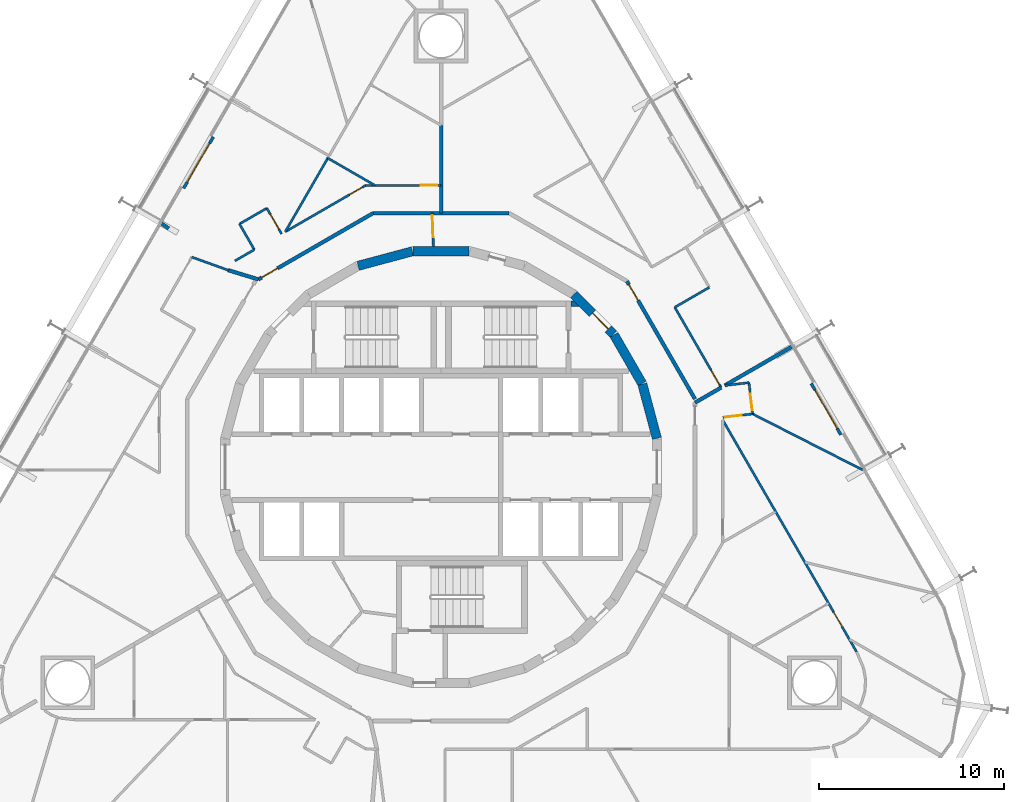
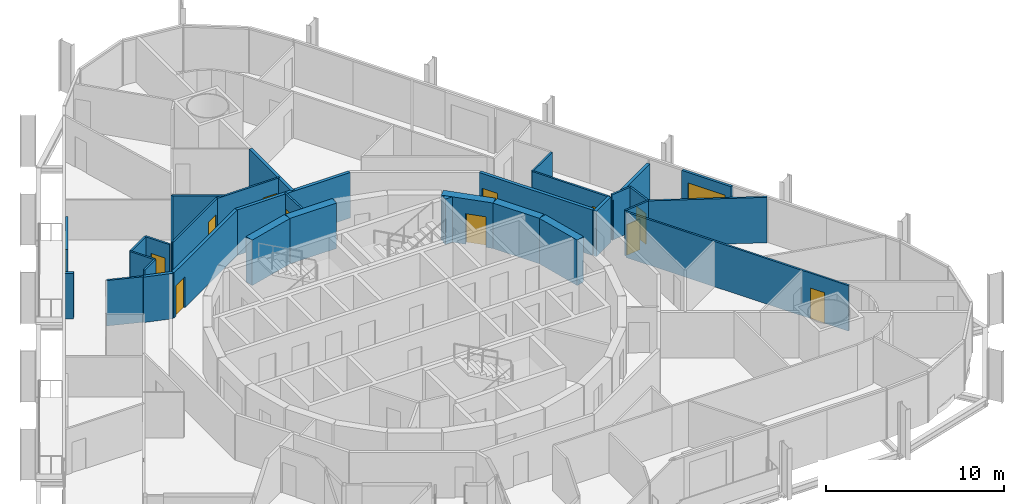
# One storey, part 17 of 20: 33 walls, 13 doors, 13 openings.
"""IFC4 building model written with IfcOpenShell, lengths in metres."""

import ifcopenshell
import ifcopenshell.guid

model = None  # the IFC model being written
_history = None  # IfcOwnerHistory: only IFC2X3 demands one
_inside = {}  # id of a spatial element -> (the spatial element, [elements in it])
_under = {}  # id of a project, library or spatial element -> (it, [spatial elements below it])
_declared = {}  # id of a project -> (the project, [libraries it declares])
_typed = {}  # id of a type object -> (the type object, [elements of that type])
_made_of = {}  # id of a material, layer set ... -> (it, [elements and type objects made of it])


def new_model(schema):
    """Start an empty IFC model of exactly this schema.

    Asked for "IFC4X3", IfcOpenShell would pick the latest addendum, in which some entities
    have other attributes; the version numbers below select the first issue.
    IFC2X3 requires an IfcOwnerHistory on every rooted entity: one is made here for all.
    """
    global model, _history
    if schema == "IFC4X3":
        model = ifcopenshell.file(schema_version=(4, 3, 0, 0))
    else:
        model = ifcopenshell.file(schema=schema)
    _inside.clear()
    _under.clear()
    _declared.clear()
    _typed.clear()
    _made_of.clear()
    _history = None
    if model.schema == "IFC2X3":
        org = make("IfcOrganization", Name="unknown")
        user = make(
            "IfcPersonAndOrganization",
            ThePerson=make("IfcPerson", FamilyName="unknown"),
            TheOrganization=org,
        )
        app = make(
            "IfcApplication",
            ApplicationDeveloper=org,
            Version="unknown",
            ApplicationFullName="unknown",
            ApplicationIdentifier="unknown",
        )
        _history = make(
            "IfcOwnerHistory",
            OwningUser=user,
            OwningApplication=app,
            ChangeAction="ADDED",
            CreationDate=0,
        )
    return model


def make(cls, **values):
    """One entity of the class cls with the attributes given. An attribute that is None is left unset."""
    return model.create_entity(
        cls, **{name: value for name, value in values.items() if value is not None}
    )


def rooted(cls, **values):
    """An entity with a GlobalId (a new one), such as an element, a storey or a relation."""
    return make(cls, GlobalId=ifcopenshell.guid.new(), OwnerHistory=_history, **values)


def si_unit(unit_type, name, prefix=None):
    """IfcSIUnit, for example si_unit("LENGTHUNIT", "METRE", prefix="MILLI")."""
    return make("IfcSIUnit", UnitType=unit_type, Prefix=prefix, Name=name)


def assignment(units):
    """IfcUnitAssignment: the units of a project."""
    return None if units is None else make("IfcUnitAssignment", Units=units)


def point(xyz):
    """IfcCartesianPoint."""
    return None if xyz is None else make("IfcCartesianPoint", Coordinates=xyz)


def direction(xyz):
    """IfcDirection."""
    return None if xyz is None else make("IfcDirection", DirectionRatios=xyz)


def frame(location, z_axis=None, x_axis=None):
    """IfcAxis2Placement3D, a coordinate frame: its origin and axes. An axis left out is left unset."""
    return make(
        "IfcAxis2Placement3D",
        Location=point(location),
        Axis=direction(z_axis),
        RefDirection=direction(x_axis),
    )


def frame_2d(location, x_axis=None):
    """IfcAxis2Placement2D, a coordinate frame in the plane: its origin and x axis."""
    return make(
        "IfcAxis2Placement2D", Location=point(location), RefDirection=direction(x_axis)
    )


def origin():
    """The frame at (0, 0, 0) with its axes left unset."""
    return frame((0.0, 0.0, 0.0))


def place(relative_to, where):
    """IfcLocalPlacement: puts the frame where relative to a parent placement (None: the world)."""
    return make(
        "IfcLocalPlacement", PlacementRelTo=relative_to, RelativePlacement=where
    )


def context(
    kind, dimensions, precision=None, world=None, true_north=None, identifier=None
):
    """IfcGeometricRepresentationContext, for example the 3D "Model" context."""
    return make(
        "IfcGeometricRepresentationContext",
        ContextIdentifier=identifier,
        ContextType=kind,
        CoordinateSpaceDimension=dimensions,
        Precision=precision,
        WorldCoordinateSystem=world,
        TrueNorth=true_north,
    )


def subcontext(parent, identifier, kind, view, scale=None):
    """IfcGeometricRepresentationSubContext, for example "Body" below "Model"."""
    return make(
        "IfcGeometricRepresentationSubContext",
        ContextIdentifier=identifier,
        ContextType=kind,
        ParentContext=parent,
        TargetScale=scale,
        TargetView=view,
    )


def project(units=None, contexts=None):
    """IfcProject with its units and contexts."""
    return rooted(
        "IfcProject",
        Name="project",
        RepresentationContexts=contexts,
        UnitsInContext=assignment(units),
    )


def spatial(cls, under=None, at=None, **own):
    """A site, building, storey or space (cls), placed at a placement, below another one or the project."""
    s = rooted(cls, ObjectPlacement=at, **own)
    if under is not None:
        _under.setdefault(under.id(), (under, []))[1].append(s)
    return s


def polyline(points):
    """IfcPolyline through the points."""
    return make("IfcPolyline", Points=[point(p) for p in points])


def profile(cls, at=None, kind="AREA", **sizes):
    """A parametric profile (cls). Its sizes go by their IFC names, for example OverallWidth=200.0."""
    return make(cls, ProfileType=kind, Position=at, **sizes)


def rectangle(**sizes):
    """IfcRectangleProfileDef."""
    return profile("IfcRectangleProfileDef", **sizes)


def outline(outer, holes=None, kind="AREA"):
    """IfcArbitraryClosedProfileDef: a profile drawn as a closed curve; with holes, ...WithVoids."""
    if holes is None:
        return make("IfcArbitraryClosedProfileDef", ProfileType=kind, OuterCurve=outer)
    return make(
        "IfcArbitraryProfileDefWithVoids",
        ProfileType=kind,
        OuterCurve=outer,
        InnerCurves=holes,
    )


def extrude(swept, where, along, depth):
    """IfcExtrudedAreaSolid: the profile swept, set in the frame where, extruded along a direction by depth."""
    return make(
        "IfcExtrudedAreaSolid",
        SweptArea=swept,
        Position=where,
        ExtrudedDirection=direction(along),
        Depth=depth,
    )


def shape(context_of_items, identifier, shape_type, items):
    """IfcShapeRepresentation: the items that make up one representation, for example the "Body"."""
    return make(
        "IfcShapeRepresentation",
        ContextOfItems=context_of_items,
        RepresentationIdentifier=identifier,
        RepresentationType=shape_type,
        Items=items,
    )


def material(Name=None, Category=None):
    """IfcMaterial."""
    return make("IfcMaterial", Name=Name, Category=Category)


def layer(
    of_material, thickness, ventilated=None, Name=None, Category=None, Priority=None
):
    """IfcMaterialLayer: one layer of a wall or slab, of a material (None: an air gap)."""
    return make(
        "IfcMaterialLayer",
        Material=of_material,
        LayerThickness=thickness,
        IsVentilated=ventilated,
        Name=Name,
        Category=Category,
        Priority=Priority,
    )


def layer_set(layers, Name=None):
    """IfcMaterialLayerSet."""
    return make("IfcMaterialLayerSet", MaterialLayers=layers, LayerSetName=Name)


def made_of(thing, what):
    """Note that an element or type object is made of a material, layer set ...; save() writes the relation."""
    if what is not None:
        _made_of.setdefault(what.id(), (what, []))[1].append(thing)
    return thing


def type_object(cls, material=None, **own):
    """A type object (cls), such as IfcWallType, which elements share."""
    return made_of(rooted(cls, **own), material)


def element(
    cls,
    number,
    at=None,
    inside=None,
    cuts=None,
    type_object=None,
    material=None,
    context=None,
    identifier="Body",
    shape_type=None,
    held_by="IfcProductDefinitionShape",
    body=None,
    shapes=None,
    **own,
):
    """One element of the class cls, such as IfcWall. Its Tag is "e" and its number.

    at: its placement. inside: the storey or other place that contains it. cuts: it is an
    opening in that element (IfcRelVoidsElement). A single representation is given by context,
    identifier, shape_type and body (its items); several are given by shapes. held_by: the class
    of the entity that holds the representations. save() writes the other relations.
    """
    e = rooted(cls, Tag="e%d" % number, ObjectPlacement=at, **own)
    if body is not None:
        shapes = [shape(context, identifier, shape_type, body)]
    if shapes is not None:
        e.Representation = make(held_by, Representations=shapes)
    if inside is not None:
        _inside.setdefault(inside.id(), (inside, []))[1].append(e)
    if cuts is not None:
        rooted(
            "IfcRelVoidsElement", RelatingBuildingElement=cuts, RelatedOpeningElement=e
        )
    if type_object is not None:
        _typed.setdefault(type_object.id(), (type_object, []))[1].append(e)
    return made_of(e, material)


def fill(opening, filler):
    """IfcRelFillsElement: the door or window that sits in an opening."""
    return rooted(
        "IfcRelFillsElement",
        RelatingOpeningElement=opening,
        RelatedBuildingElement=filler,
    )


def aggregate(whole, parts):
    """IfcRelAggregates: a whole, such as a stair, and the parts it consists of."""
    return rooted("IfcRelAggregates", RelatingObject=whole, RelatedObjects=parts)


def save(model, path):
    """Write the relations noted so far, then the file.

    IfcRelAggregates (storeys below a building ...), IfcRelContainedInSpatialStructure (elements
    in a storey), IfcRelDefinesByType, IfcRelAssociatesMaterial and IfcRelDeclares: one each for
    every whole, place, type object, material and project.
    """
    for whole, parts in _under.values():
        aggregate(whole, parts)
    for where, things in _inside.values():
        rooted(
            "IfcRelContainedInSpatialStructure",
            RelatedElements=things,
            RelatingStructure=where,
        )
    for kind, things in _typed.values():
        rooted("IfcRelDefinesByType", RelatedObjects=things, RelatingType=kind)
    for what, things in _made_of.values():
        rooted("IfcRelAssociatesMaterial", RelatedObjects=things, RelatingMaterial=what)
    for by, libraries in _declared.values():
        rooted("IfcRelDeclares", RelatingContext=by, RelatedDefinitions=libraries)
    model.write(path)


model = new_model("IFC4")

# Units and contexts
model_context = context("Model", 3, precision=1e-05, world=origin(), true_north=direction((0.0, 1.0)))
body_context = subcontext(model_context, "Body", "Model", "MODEL_VIEW")
ifc_project = project(units=[si_unit("LENGTHUNIT", "METRE"), si_unit("AREAUNIT", "SQUARE_METRE"), si_unit("VOLUMEUNIT", "CUBIC_METRE"), si_unit("PLANEANGLEUNIT", "RADIAN"), si_unit("MASSUNIT", "GRAM", prefix="KILO")], contexts=[model_context])

# Site, building, storey
site_placement = place(None, origin())
site = spatial("IfcSite", under=ifc_project, at=site_placement, CompositionType="ELEMENT")
building_placement = place(site_placement, origin())
building = spatial("IfcBuilding", under=site, at=building_placement, Name="Spindle Arch Residences", CompositionType="ELEMENT")
storey_placement = place(building_placement, frame((0.0, 0.0, 59.39990234375)))
storey = spatial("IfcBuildingStorey", under=building, at=storey_placement, Name="L13", CompositionType="ELEMENT", Elevation=59.39990234375)

# Walls
ifc_material_1 = material(Name="Concrete C50/60", Category="concrete")
ifc_layer_1 = layer(ifc_material_1, 0.5)
ifc_layer_set_1 = layer_set([ifc_layer_1], Name="Core outline wall 500")
wall_type_1 = type_object("IfcWallType", Name="Core outline wall 500", PredefinedType="SHEAR", material=ifc_layer_set_1)
for number, where, z_axis, x_axis, name in (
    (1, (11.642822265625, 1.5498046875, 0.0), (0.0, 0.0, 1.0), (-0.258734743916, 0.965948410781, 0.0), "Core outline wall 7"),
    (2, (10.84521484375, 4.510498046875, 0.0), (0.0, 0.0, 1.0), (-0.500087131594, 0.865975092491, 0.0), "Core outline wall 8"),
):
    element("IfcWall", number, at=place(storey_placement, frame(where, z_axis=z_axis, x_axis=x_axis)), inside=storey, type_object=wall_type_1, Name=name, PredefinedType="SHEAR", context=body_context, shape_type="SweptSolid", body=[
        extrude(rectangle(XDim=3.03271484375, YDim=0.5, at=frame_2d((1.516357421875, 0.0))), origin(), (0.0, 0.0, 1.0), 3.1201171875),
    ])

# Wall, opening, door
wall_1_placement = place(storey_placement, frame((9.30810546875, 7.163818359375, 0.0), z_axis=(0.0, 0.0, 1.0), x_axis=(-0.707106781187, 0.707106781187, 0.0)))
wall_1 = element("IfcWall", 3, at=wall_1_placement, inside=storey, type_object=wall_type_1, Name="Core outline wall 9", PredefinedType="SHEAR", context=body_context, shape_type="SweptSolid", body=[
    extrude(rectangle(XDim=3.032470703125, YDim=0.5, at=frame_2d((1.51611328125, 0.0))), origin(), (0.0, 0.0, 1.0), 3.1201171875),
])
opening_1_placement = place(wall_1_placement, frame((0.416259765625, 0.0, 0.0)))
opening_1 = element("IfcOpeningElement", 4, at=opening_1_placement, cuts=wall_1, Name="Opening R1C0-AD01", PredefinedType="OPENING", context=body_context, shape_type="SweptSolid", body=[
    extrude(rectangle(XDim=1.199951171875, YDim=2.10009765625, at=frame_2d((0.60009765625, 1.050048828125))), frame((0.0, 0.260009765625, 0.0), z_axis=(0.0, -1.0, 0.0), x_axis=(1.0, 0.0, 0.0)), (0.0, 0.0, 1.0), 0.52001953125),
])
ifc_material_2 = material(Name="Steel, fire-resisting door", Category="steel")
door_type_1 = type_object("IfcDoorType", Name="Stair airlock door 1200x2100", OperationType="SINGLE_SWING_LEFT", PredefinedType="DOOR", material=ifc_material_2)
door_1_placement = place(opening_1_placement, origin())
door_1 = element("IfcDoor", 5, at=door_1_placement, inside=storey, type_object=door_type_1, Name="Stair airlock door R1C0-AD01", OperationType="SINGLE_SWING_RIGHT", OverallHeight=2.10009765625, OverallWidth=1.199951171875, PredefinedType="DOOR", context=body_context, shape_type="SweptSolid", body=[
    extrude(rectangle(XDim=1.199951171875, YDim=2.10009765625, at=frame_2d((0.60009765625, 1.050048828125))), frame((0.0, 0.02490234375, 0.0), z_axis=(0.0, -1.0, 0.0), x_axis=(1.0, 0.0, 0.0)), (0.0, 0.0, 1.0), 0.050048828125),
])
fill(opening_1, door_1)

# Walls
for number, where, z_axis, x_axis, name in (
    (6, (1.516357421875, 11.647216796875, 0.0), (0.0, 0.0, 1.0), (-1.0, 0.0, 0.0), "Core outline wall 12"),
    (7, (-1.5498046875, 11.642822265625, 0.0), (0.0, 0.0, 1.0), (-0.965948410781, -0.258734743916, 0.0), "Core outline wall 13"),
):
    element("IfcWall", number, at=place(storey_placement, frame(where, z_axis=z_axis, x_axis=x_axis)), inside=storey, type_object=wall_type_1, Name=name, PredefinedType="SHEAR", context=body_context, shape_type="SweptSolid", body=[
        extrude(rectangle(XDim=3.03271484375, YDim=0.5, at=frame_2d((1.516357421875, 0.0))), origin(), (0.0, 0.0, 1.0), 3.1201171875),
    ])

# Wall, opening, door
ifc_material_3 = material(Name="Plasterboard on steel studs", Category="steel")
ifc_layer_2 = layer(ifc_material_3, 0.1201171875)
ifc_layer_set_2 = layer_set([ifc_layer_2], Name="Corridor division wall 120")
wall_type_2 = type_object("IfcWallType", Name="Corridor division wall 120", PredefinedType="PARTITIONING", material=ifc_layer_set_2)
wall_2_placement = place(storey_placement, frame((-0.478515625, 13.699951171875, 0.0), z_axis=(0.0, 0.0, 1.0), x_axis=(0.034919103017, -0.999390142159, 0.0)))
wall_2 = element("IfcWall", 8, at=wall_2_placement, inside=storey, type_object=wall_type_2, Name="Corridor division wall R1C0-W001", PredefinedType="PARTITIONING", context=body_context, shape_type="SweptSolid", body=[
    extrude(rectangle(XDim=1.803955078125, YDim=0.1201171875, at=frame_2d((0.90185546875, 0.0))), origin(), (0.0, 0.0, 1.0), 3.1201171875),
])
opening_2_placement = place(wall_2_placement, frame((0.110107421875, 0.0, 0.0)))
opening_2 = element("IfcOpeningElement", 9, at=opening_2_placement, cuts=wall_2, Name="Opening R1C0-CD01", PredefinedType="OPENING", context=body_context, shape_type="SweptSolid", body=[
    extrude(rectangle(XDim=1.199951171875, YDim=2.10009765625, at=frame_2d((0.60009765625, 1.050048828125))), frame((0.0, 0.070068359375, 0.0), z_axis=(0.0, -1.0, 0.0), x_axis=(1.0, 0.0, 0.0)), (0.0, 0.0, 1.0), 0.14013671875),
])
ifc_material_4 = material(Name="Steel, fire-resisting door", Category="steel")
door_type_2 = type_object("IfcDoorType", Name="Corridor division door 1200x2100", OperationType="NOTDEFINED", PredefinedType="DOOR", material=ifc_material_4)
door_2_placement = place(opening_2_placement, origin())
door_2 = element("IfcDoor", 10, at=door_2_placement, inside=storey, type_object=door_type_2, Name="Corridor division door R1C0-CD01", OperationType="DOUBLE_DOOR_SINGLE_SWING", OverallHeight=2.10009765625, OverallWidth=1.199951171875, PredefinedType="DOOR", context=body_context, shape_type="SweptSolid", body=[
    extrude(rectangle(XDim=1.199951171875, YDim=2.10009765625, at=frame_2d((0.60009765625, 1.050048828125))), frame((0.0, 0.02490234375, 0.0), z_axis=(0.0, -1.0, 0.0), x_axis=(1.0, 0.0, 0.0)), (0.0, 0.0, 1.0), 0.050048828125),
])
fill(opening_2, door_2)

ifc_material_5 = material(Name="Calcium silicate block, plastered")
ifc_layer_3 = layer(ifc_material_5, 0.199951171875)
ifc_layer_set_3 = layer_set([ifc_layer_3], Name="Corridor wall 200")
wall_type_3 = type_object("IfcWallType", Name="Corridor wall 200", PredefinedType="STANDARD", material=ifc_layer_set_3)
wall_3_placement = place(storey_placement, frame((13.699951171875, 3.6708984375, 0.0), z_axis=(0.0, 0.0, 1.0), x_axis=(-0.500001669485, 0.866024439905, 0.0)))
wall_3 = element("IfcWall", 11, at=wall_3_placement, inside=storey, type_object=wall_type_3, Name="Corridor wall R1C0-W004", PredefinedType="STANDARD", context=body_context, shape_type="SweptSolid", body=[
    extrude(rectangle(XDim=7.341796875, YDim=0.199951171875, at=frame_2d((3.6708984375, 0.0))), origin(), (0.0, 0.0, 1.0), 3.1201171875),
])
opening_3_placement = place(wall_3_placement, frame((6.141845703125, 0.0, 0.0)))
opening_3 = element("IfcOpeningElement", 12, at=opening_3_placement, cuts=wall_3, Name="Opening R1C0-FD01", PredefinedType="OPENING", context=body_context, shape_type="SweptSolid", body=[
    extrude(rectangle(XDim=1.0, YDim=2.10009765625, at=frame_2d((0.5, 1.050048828125))), frame((0.0, 0.10986328125, 0.0), z_axis=(0.0, -1.0, 0.0), x_axis=(1.0, 0.0, 0.0)), (0.0, 0.0, 1.0), 0.219970703125),
])
ifc_material_6 = material(Name="Timber, fire-resisting door set", Category="wood")
door_type_3 = type_object("IfcDoorType", Name="Flat entrance door 1000x2100", OperationType="NOTDEFINED", PredefinedType="DOOR", material=ifc_material_6)
door_3_placement = place(opening_3_placement, origin())
door_3 = element("IfcDoor", 13, at=door_3_placement, inside=storey, type_object=door_type_3, Name="Flat entrance door R1C0-FD01", OperationType="SINGLE_SWING_RIGHT", OverallHeight=2.10009765625, OverallWidth=1.0, PredefinedType="DOOR", context=body_context, shape_type="SweptSolid", body=[
    extrude(rectangle(XDim=1.0, YDim=2.10009765625, at=frame_2d((0.5, 1.050048828125))), frame((0.0, 0.02490234375, 0.0), z_axis=(0.0, -1.0, 0.0), x_axis=(1.0, 0.0, 0.0)), (0.0, 0.0, 1.0), 0.050048828125),
])
fill(opening_3, door_3)

# Wall
wall_4_placement = place(storey_placement, frame((3.6708984375, 13.699951171875, 0.0), z_axis=(0.0, 0.0, 1.0), x_axis=(-1.0, 0.0, 0.0)))
element("IfcWall", 14, at=wall_4_placement, inside=storey, type_object=wall_type_3, Name="Corridor wall R1C0-W006", PredefinedType="STANDARD", context=body_context, shape_type="SweptSolid", body=[
    extrude(rectangle(XDim=7.341796875, YDim=0.199951171875, at=frame_2d((3.6708984375, 0.0))), origin(), (0.0, 0.0, 1.0), 3.1201171875),
])

# Wall, opening, door
wall_5_placement = place(storey_placement, frame((-3.6708984375, 13.699951171875, 0.0), z_axis=(0.0, 0.0, 1.0), x_axis=(-0.866031419417, -0.499989580474, 0.0)))
wall_5 = element("IfcWall", 15, at=wall_5_placement, inside=storey, type_object=wall_type_3, Name="Corridor wall R1C0-W009", PredefinedType="STANDARD", context=body_context, shape_type="SweptSolid", body=[
    extrude(rectangle(XDim=7.146728515625, YDim=0.199951171875, at=frame_2d((3.5732421875, 0.0))), origin(), (0.0, 0.0, 1.0), 3.1201171875),
])
opening_4_placement = place(wall_5_placement, frame((5.946533203125, 0.0, 0.0)))
opening_4 = element("IfcOpeningElement", 16, at=opening_4_placement, cuts=wall_5, Name="Opening R1C0-FD02", PredefinedType="OPENING", context=body_context, shape_type="SweptSolid", body=[
    extrude(rectangle(XDim=1.0, YDim=2.10009765625, at=frame_2d((0.5, 1.050048828125))), frame((0.0, 0.10986328125, 0.0), z_axis=(0.0, -1.0, 0.0), x_axis=(1.0, 0.0, 0.0)), (0.0, 0.0, 1.0), 0.219970703125),
])
door_4_placement = place(opening_4_placement, origin())
door_4 = element("IfcDoor", 17, at=door_4_placement, inside=storey, type_object=door_type_3, Name="Flat entrance door R1C0-FD02", OperationType="SINGLE_SWING_LEFT", OverallHeight=2.10009765625, OverallWidth=1.0, PredefinedType="DOOR", context=body_context, shape_type="SweptSolid", body=[
    extrude(rectangle(XDim=1.0, YDim=2.10009765625, at=frame_2d((0.5, 1.050048828125))), frame((0.0, 0.02490234375, 0.0), z_axis=(0.0, -1.0, 0.0), x_axis=(1.0, 0.0, 0.0)), (0.0, 0.0, 1.0), 0.050048828125),
])
fill(opening_4, door_4)

ifc_material_7 = material(Name="Plasterboard on steel studs", Category="steel")
ifc_layer_4 = layer(ifc_material_7, 0.1201171875)
ifc_layer_set_4 = layer_set([ifc_layer_4], Name="Flat partition 120")
wall_type_4 = type_object("IfcWallType", Name="Flat partition 120", PredefinedType="PARTITIONING", material=ifc_layer_set_4)
wall_6_placement = place(storey_placement, frame((15.109619140625, 4.289306640625, 0.0), z_axis=(0.0, 0.0, 1.0), x_axis=(-0.500033654285, 0.866005972602, 0.0)))
wall_6 = element("IfcWall", 18, at=wall_6_placement, inside=storey, type_object=wall_type_4, Name="Flat partition R1C0-W032", PredefinedType="PARTITIONING", context=body_context, shape_type="SweptSolid", body=[
    extrude(rectangle(XDim=5.002685546875, YDim=0.1201171875, at=frame_2d((2.50146484375, 0.0))), origin(), (0.0, 0.0, 1.0), 3.1201171875),
])
opening_5_placement = place(wall_6_placement, frame((0.199951171875, 0.0, 0.0)))
opening_5 = element("IfcOpeningElement", 19, at=opening_5_placement, cuts=wall_6, Name="Opening R1C0-ID01", PredefinedType="OPENING", context=body_context, shape_type="SweptSolid", body=[
    extrude(rectangle(XDim=0.89990234375, YDim=2.10009765625, at=frame_2d((0.449951171875, 1.050048828125))), frame((0.0, 0.070068359375, 0.0), z_axis=(0.0, -1.0, 0.0), x_axis=(1.0, 0.0, 0.0)), (0.0, 0.0, 1.0), 0.14013671875),
])
ifc_material_8 = material(Name="Timber door set", Category="wood")
door_type_4 = type_object("IfcDoorType", Name="Room door 900x2100", OperationType="NOTDEFINED", PredefinedType="DOOR", material=ifc_material_8)
door_5_placement = place(opening_5_placement, origin())
door_5 = element("IfcDoor", 20, at=door_5_placement, inside=storey, type_object=door_type_4, Name="Room door R1C0-ID01", OperationType="SINGLE_SWING_LEFT", OverallHeight=2.10009765625, OverallWidth=0.89990234375, PredefinedType="DOOR", context=body_context, shape_type="SweptSolid", body=[
    extrude(rectangle(XDim=0.89990234375, YDim=2.10009765625, at=frame_2d((0.449951171875, 1.050048828125))), frame((0.0, 0.02490234375, 0.0), z_axis=(0.0, -1.0, 0.0), x_axis=(1.0, 0.0, 0.0)), (0.0, 0.0, 1.0), 0.050048828125),
])
fill(opening_5, door_5)

# Wall
wall_7_placement = place(storey_placement, frame((12.608154296875, 8.62158203125, 0.0), z_axis=(0.0, 0.0, 1.0), x_axis=(0.866005997533, 0.500033611107, 0.0)))
element("IfcWall", 21, at=wall_7_placement, inside=storey, type_object=wall_type_4, Name="Flat partition R1C0-W033", PredefinedType="PARTITIONING", context=body_context, shape_type="SweptSolid", body=[
    extrude(rectangle(XDim=2.150634765625, YDim=0.1201171875, at=frame_2d((1.0751953125, 0.0))), origin(), (0.0, 0.0, 1.0), 3.1201171875),
])

# Wall, opening, door
wall_8_placement = place(storey_placement, frame((0.0, 15.199951171875, 0.0), z_axis=(0.0, 0.0, 1.0), x_axis=(-1.0, 0.0, 0.0)))
wall_8 = element("IfcWall", 22, at=wall_8_placement, inside=storey, type_object=wall_type_4, Name="Flat partition R1C0-W049", PredefinedType="PARTITIONING", context=body_context, shape_type="SweptSolid", body=[
    extrude(rectangle(XDim=4.07275390625, YDim=0.1201171875, at=frame_2d((2.036376953125, 0.0))), origin(), (0.0, 0.0, 1.0), 3.1201171875),
])
opening_6_placement = place(wall_8_placement, frame((0.199951171875, 0.0, 0.0)))
opening_6 = element("IfcOpeningElement", 23, at=opening_6_placement, cuts=wall_8, Name="Opening R1C0-ID07", PredefinedType="OPENING", context=body_context, shape_type="SweptSolid", body=[
    extrude(rectangle(XDim=0.89990234375, YDim=2.10009765625, at=frame_2d((0.449951171875, 1.050048828125))), frame((0.0, 0.070068359375, 0.0), z_axis=(0.0, -1.0, 0.0), x_axis=(1.0, 0.0, 0.0)), (0.0, 0.0, 1.0), 0.14013671875),
])
door_6_placement = place(opening_6_placement, origin())
door_6 = element("IfcDoor", 24, at=door_6_placement, inside=storey, type_object=door_type_4, Name="Room door R1C0-ID07", OperationType="SINGLE_SWING_RIGHT", OverallHeight=2.10009765625, OverallWidth=0.89990234375, PredefinedType="DOOR", context=body_context, shape_type="SweptSolid", body=[
    extrude(rectangle(XDim=0.89990234375, YDim=2.10009765625, at=frame_2d((0.449951171875, 1.050048828125))), frame((0.0, 0.02490234375, 0.0), z_axis=(0.0, -1.0, 0.0), x_axis=(1.0, 0.0, 0.0)), (0.0, 0.0, 1.0), 0.050048828125),
])
fill(opening_6, door_6)

wall_9_placement = place(storey_placement, frame((-4.07275390625, 15.199951171875, 0.0), z_axis=(0.0, 0.0, 1.0), x_axis=(-0.866034514313, -0.499984219769, 0.0)))
wall_9 = element("IfcWall", 25, at=wall_9_placement, inside=storey, type_object=wall_type_4, Name="Flat partition R1C0-W050", PredefinedType="PARTITIONING", context=body_context, shape_type="SweptSolid", body=[
    extrude(rectangle(XDim=5.005615234375, YDim=0.1201171875, at=frame_2d((2.5029296875, 0.0))), origin(), (0.0, 0.0, 1.0), 3.1201171875),
])
opening_7_placement = place(wall_9_placement, frame((0.199951171875, 0.0, 0.0)))
opening_7 = element("IfcOpeningElement", 26, at=opening_7_placement, cuts=wall_9, Name="Opening R1C0-BD02", PredefinedType="OPENING", context=body_context, shape_type="SweptSolid", body=[
    extrude(rectangle(XDim=0.800048828125, YDim=2.10009765625, at=frame_2d((0.39990234375, 1.050048828125))), frame((0.0, 0.070068359375, 0.0), z_axis=(0.0, -1.0, 0.0), x_axis=(1.0, 0.0, 0.0)), (0.0, 0.0, 1.0), 0.14013671875),
])
ifc_material_9 = material(Name="Timber door set", Category="wood")
door_type_5 = type_object("IfcDoorType", Name="Bathroom door 800x2100", OperationType="NOTDEFINED", PredefinedType="DOOR", material=ifc_material_9)
door_7_placement = place(opening_7_placement, origin())
door_7 = element("IfcDoor", 27, at=door_7_placement, inside=storey, type_object=door_type_5, Name="Bathroom door R1C0-BD02", OperationType="SINGLE_SWING_LEFT", OverallHeight=2.10009765625, OverallWidth=0.800048828125, PredefinedType="DOOR", context=body_context, shape_type="SweptSolid", body=[
    extrude(rectangle(XDim=0.800048828125, YDim=2.10009765625, at=frame_2d((0.39990234375, 1.050048828125))), frame((0.0, 0.02490234375, 0.0), z_axis=(0.0, -1.0, 0.0), x_axis=(1.0, 0.0, 0.0)), (0.0, 0.0, 1.0), 0.050048828125),
])
fill(opening_7, door_7)

wall_10_placement = place(storey_placement, frame((-8.60595703125, 12.582763671875, 0.0), z_axis=(0.0, 0.0, 1.0), x_axis=(-0.499995408039, 0.866028054938, 0.0)))
wall_10 = element("IfcWall", 28, at=wall_10_placement, inside=storey, type_object=wall_type_4, Name="Flat partition R1C0-W051", PredefinedType="PARTITIONING", context=body_context, shape_type="SweptSolid", body=[
    extrude(rectangle(XDim=1.60009765625, YDim=0.1201171875, at=frame_2d((0.800048828125, 0.0))), origin(), (0.0, 0.0, 1.0), 3.1201171875),
])
opening_8_placement = place(wall_10_placement, frame((0.300048828125, 0.0, 0.0)))
opening_8 = element("IfcOpeningElement", 29, at=opening_8_placement, cuts=wall_10, Name="Opening R1C0-ID08", PredefinedType="OPENING", context=body_context, shape_type="SweptSolid", body=[
    extrude(rectangle(XDim=0.89990234375, YDim=2.10009765625, at=frame_2d((0.449951171875, 1.050048828125))), frame((0.0, 0.070068359375, 0.0), z_axis=(0.0, -1.0, 0.0), x_axis=(1.0, 0.0, 0.0)), (0.0, 0.0, 1.0), 0.14013671875),
])
door_8_placement = place(opening_8_placement, origin())
door_8 = element("IfcDoor", 30, at=door_8_placement, inside=storey, type_object=door_type_4, Name="Room door R1C0-ID08", OperationType="SINGLE_SWING_RIGHT", OverallHeight=2.10009765625, OverallWidth=0.89990234375, PredefinedType="DOOR", context=body_context, shape_type="SweptSolid", body=[
    extrude(rectangle(XDim=0.89990234375, YDim=2.10009765625, at=frame_2d((0.449951171875, 1.050048828125))), frame((0.0, 0.02490234375, 0.0), z_axis=(0.0, -1.0, 0.0), x_axis=(1.0, 0.0, 0.0)), (0.0, 0.0, 1.0), 0.050048828125),
])
fill(opening_8, door_8)

# Walls
wall_11_placement = place(storey_placement, frame((-9.406005859375, 13.968505859375, 0.0), z_axis=(0.0, 0.0, 1.0), x_axis=(-0.865989465428, -0.500062241894, 0.0)))
element("IfcWall", 31, at=wall_11_placement, inside=storey, type_object=wall_type_4, Name="Flat partition R1C0-W052", PredefinedType="PARTITIONING", context=body_context, shape_type="SweptSolid", body=[
    extrude(rectangle(XDim=1.699951171875, YDim=0.1201171875, at=frame_2d((0.85009765625, 0.0))), origin(), (0.0, 0.0, 1.0), 3.1201171875),
])
wall_12_placement = place(storey_placement, frame((-10.878173828125, 13.118408203125, 0.0), z_axis=(0.0, 0.0, 1.0), x_axis=(0.500061482766, -0.865989903783, 0.0)))
element("IfcWall", 32, at=wall_12_placement, inside=storey, type_object=wall_type_4, Name="Flat partition R1C0-W053", PredefinedType="PARTITIONING", context=body_context, shape_type="SweptSolid", body=[
    extrude(rectangle(XDim=1.599853515625, YDim=0.1201171875, at=frame_2d((0.7998046875, 0.0))), origin(), (0.0, 0.0, 1.0), 3.1201171875),
])
wall_13_placement = place(storey_placement, frame((-10.078125, 11.73291015625, 0.0), z_axis=(0.0, 0.0, 1.0), x_axis=(-0.866014416983, -0.500019029215, 0.0)))
element("IfcWall", 33, at=wall_13_placement, inside=storey, type_object=wall_type_4, Name="Flat partition R1C0-W054", PredefinedType="PARTITIONING", context=body_context, shape_type="SweptSolid", body=[
    extrude(rectangle(XDim=1.21142578125, YDim=0.1201171875, at=frame_2d((0.605712890625, 0.0))), origin(), (0.0, 0.0, 1.0), 3.1201171875),
])
wall_14_placement = place(storey_placement, frame((-6.114013671875, 16.669921875, 0.0), z_axis=(0.0, 0.0, 1.0), x_axis=(0.866011328839, -0.500024377727, 0.0)))
element("IfcWall", 34, at=wall_14_placement, inside=storey, type_object=wall_type_4, Name="Flat partition R1C0-W059", PredefinedType="PARTITIONING", context=body_context, shape_type="SweptSolid", body=[
    extrude(rectangle(XDim=2.939697265625, YDim=0.1201171875, at=frame_2d((1.4697265625, 0.0))), origin(), (0.0, 0.0, 1.0), 3.1201171875),
])
wall_15_placement = place(storey_placement, frame((-6.093994140625, 16.70458984375, 0.0), z_axis=(0.0, 0.0, 1.0), x_axis=(-0.500014747178, -0.86601688933, 0.0)))
element("IfcWall", 35, at=wall_15_placement, inside=storey, type_object=wall_type_4, Name="Flat partition R1C0-W062", PredefinedType="PARTITIONING", context=body_context, shape_type="SweptSolid", body=[
    extrude(rectangle(XDim=4.627197265625, YDim=0.1201171875, at=frame_2d((2.3134765625, 0.0))), origin(), (0.0, 0.0, 1.0), 3.1201171875),
])
wall_16_placement = place(storey_placement, frame((-11.458251953125, 10.613525390625, 0.0), z_axis=(0.0, 0.0, 1.0), x_axis=(-0.941092440198, 0.338149403375, 0.0)))
element("IfcWall", 36, at=wall_16_placement, inside=storey, type_object=wall_type_4, Name="Flat partition R1C0-W063", PredefinedType="PARTITIONING", context=body_context, shape_type="SweptSolid", body=[
    extrude(rectangle(XDim=2.123291015625, YDim=0.1201171875, at=frame_2d((1.0615234375, 0.0))), origin(), (0.0, 0.0, 1.0), 3.1201171875),
])

# Wall, opening, door
wall_17_placement = place(storey_placement, frame((16.810302734375, 2.8681640625, 0.0), z_axis=(0.0, 0.0, 1.0), x_axis=(-0.117049566217, 0.993126074096, 0.0)))
wall_17 = element("IfcWall", 37, at=wall_17_placement, inside=storey, type_object=wall_type_4, Name="Flat partition R1C0-W112", PredefinedType="PARTITIONING", context=body_context, shape_type="SweptSolid", body=[
    extrude(rectangle(XDim=1.699951171875, YDim=0.1201171875, at=frame_2d((0.85009765625, 0.0))), origin(), (0.0, 0.0, 1.0), 3.1201171875),
])
opening_9_placement = place(wall_17_placement, frame((0.199951171875, 0.0, 0.0)))
opening_9 = element("IfcOpeningElement", 38, at=opening_9_placement, cuts=wall_17, Name="Opening R1C0-ID29", PredefinedType="OPENING", context=body_context, shape_type="SweptSolid", body=[
    extrude(rectangle(XDim=0.89990234375, YDim=2.10009765625, at=frame_2d((0.449951171875, 1.050048828125))), frame((0.0, 0.070068359375, 0.0), z_axis=(0.0, -1.0, 0.0), x_axis=(1.0, 0.0, 0.0)), (0.0, 0.0, 1.0), 0.14013671875),
])
door_9_placement = place(opening_9_placement, origin())
door_9 = element("IfcDoor", 39, at=door_9_placement, inside=storey, type_object=door_type_4, Name="Room door R1C0-ID29", OperationType="SINGLE_SWING_LEFT", OverallHeight=2.10009765625, OverallWidth=0.89990234375, PredefinedType="DOOR", context=body_context, shape_type="SweptSolid", body=[
    extrude(rectangle(XDim=0.89990234375, YDim=2.10009765625, at=frame_2d((0.449951171875, 1.050048828125))), frame((0.0, 0.02490234375, 0.0), z_axis=(0.0, -1.0, 0.0), x_axis=(1.0, 0.0, 0.0)), (0.0, 0.0, 1.0), 0.050048828125),
])
fill(opening_9, door_9)

# Wall
wall_18_placement = place(storey_placement, frame((16.611328125, 4.556396484375, 0.0), z_axis=(0.0, 0.0, 1.0), x_axis=(-0.993151872114, -0.116830470836, 0.0)))
element("IfcWall", 40, at=wall_18_placement, inside=storey, type_object=wall_type_4, Name="Flat partition R1C0-W113", PredefinedType="PARTITIONING", context=body_context, shape_type="SweptSolid", body=[
    extrude(rectangle(XDim=1.314453125, YDim=0.1201171875, at=frame_2d((0.6572265625, 0.0))), origin(), (0.0, 0.0, 1.0), 3.1201171875),
])

# Wall, opening, door
wall_19_placement = place(storey_placement, frame((15.199951171875, 2.6787109375, 0.0), z_axis=(0.0, 0.0, 1.0), x_axis=(0.993150604323, 0.116841247567, 0.0)))
wall_19 = element("IfcWall", 41, at=wall_19_placement, inside=storey, type_object=wall_type_4, Name="Flat partition R1C0-W115", PredefinedType="PARTITIONING", context=body_context, shape_type="SweptSolid", body=[
    extrude(rectangle(XDim=1.621337890625, YDim=0.1201171875, at=frame_2d((0.810546875, 0.0))), origin(), (0.0, 0.0, 1.0), 3.1201171875),
])
opening_10_placement = place(wall_19_placement, frame((0.1201171875, 0.0, 0.0)))
opening_10 = element("IfcOpeningElement", 42, at=opening_10_placement, cuts=wall_19, Name="Opening R1C0-ID31", PredefinedType="OPENING", context=body_context, shape_type="SweptSolid", body=[
    extrude(rectangle(XDim=0.89990234375, YDim=2.10009765625, at=frame_2d((0.449951171875, 1.050048828125))), frame((0.0, 0.070068359375, 0.0), z_axis=(0.0, -1.0, 0.0), x_axis=(1.0, 0.0, 0.0)), (0.0, 0.0, 1.0), 0.14013671875),
])
door_10_placement = place(opening_10_placement, origin())
door_10 = element("IfcDoor", 43, at=door_10_placement, inside=storey, type_object=door_type_4, Name="Room door R1C0-ID31", OperationType="SINGLE_SWING_RIGHT", OverallHeight=2.10009765625, OverallWidth=0.89990234375, PredefinedType="DOOR", context=body_context, shape_type="SweptSolid", body=[
    extrude(rectangle(XDim=0.89990234375, YDim=2.10009765625, at=frame_2d((0.449951171875, 1.050048828125))), frame((0.0, 0.02490234375, 0.0), z_axis=(0.0, -1.0, 0.0), x_axis=(1.0, 0.0, 0.0)), (0.0, 0.0, 1.0), 0.050048828125),
])
fill(opening_10, door_10)

# Wall
wall_20_placement = place(storey_placement, frame((16.810302734375, 2.8681640625, 0.0), z_axis=(0.0, 0.0, 1.0), x_axis=(0.891097252128, -0.453812392128, 0.0)))
element("IfcWall", 44, at=wall_20_placement, inside=storey, type_object=wall_type_4, Name="Flat partition R1C0-W117", PredefinedType="PARTITIONING", context=body_context, shape_type="SweptSolid", body=[
    extrude(rectangle(XDim=6.6767578125, YDim=0.1201171875, at=frame_2d((3.33837890625, 0.0))), origin(), (0.0, 0.0, 1.0), 3.1201171875),
])

# Wall, opening, door
wall_21_placement = place(storey_placement, frame((15.199951171875, 2.53271484375, 0.0), z_axis=(0.0, 0.0, 1.0), x_axis=(0.500001127339, -0.866024752914, 0.0)))
wall_21 = element("IfcWall", 45, at=wall_21_placement, inside=storey, type_object=wall_type_4, Name="Flat partition R1C0-W118", PredefinedType="PARTITIONING", context=body_context, shape_type="SweptSolid", body=[
    extrude(rectangle(XDim=14.43408203125, YDim=0.1201171875, at=frame_2d((7.217041015625, 0.0))), origin(), (0.0, 0.0, 1.0), 3.1201171875),
])
opening_11_placement = place(wall_21_placement, frame((11.969970703125, 0.0, 0.0)))
opening_11 = element("IfcOpeningElement", 46, at=opening_11_placement, cuts=wall_21, Name="Opening R1C0-ID33", PredefinedType="OPENING", context=body_context, shape_type="SweptSolid", body=[
    extrude(rectangle(XDim=0.89990234375, YDim=2.10009765625, at=frame_2d((0.449951171875, 1.050048828125))), frame((0.0, 0.070068359375, 0.0), z_axis=(0.0, -1.0, 0.0), x_axis=(1.0, 0.0, 0.0)), (0.0, 0.0, 1.0), 0.14013671875),
])
door_11_placement = place(opening_11_placement, origin())
door_11 = element("IfcDoor", 47, at=door_11_placement, inside=storey, type_object=door_type_4, Name="Room door R1C0-ID33", OperationType="SINGLE_SWING_LEFT", OverallHeight=2.10009765625, OverallWidth=0.89990234375, PredefinedType="DOOR", context=body_context, shape_type="SweptSolid", body=[
    extrude(rectangle(XDim=0.89990234375, YDim=2.10009765625, at=frame_2d((0.449951171875, 1.050048828125))), frame((0.0, 0.02490234375, 0.0), z_axis=(0.0, -1.0, 0.0), x_axis=(1.0, 0.0, 0.0)), (0.0, 0.0, 1.0), 0.050048828125),
])
fill(opening_11, door_11)

# Walls
ifc_material_10 = material(Name="Calcium silicate block, plastered")
ifc_layer_5 = layer(ifc_material_10, 0.199951171875)
ifc_layer_set_5 = layer_set([ifc_layer_5], Name="Flat party wall 200")
wall_type_5 = type_object("IfcWallType", Name="Flat party wall 200", PredefinedType="STANDARD", material=ifc_layer_set_5)
wall_22_placement = place(storey_placement, frame((0.0, 18.436767578125, 0.0), z_axis=(0.0, 0.0, 1.0), x_axis=(0.0, -1.0, 0.0)))
element("IfcWall", 48, at=wall_22_placement, inside=storey, type_object=wall_type_5, Name="Flat party wall R1C0-W017", PredefinedType="STANDARD", context=body_context, shape_type="SweptSolid", body=[
    extrude(rectangle(XDim=4.73681640625, YDim=0.199951171875, at=frame_2d((2.368408203125, 0.0))), origin(), (0.0, 0.0, 1.0), 3.1201171875),
])
wall_23_placement = place(storey_placement, frame((13.699951171875, 3.4755859375, 0.0), z_axis=(0.0, 0.0, 1.0), x_axis=(0.866014281772, 0.500019263395, 0.0)))
element("IfcWall", 49, at=wall_23_placement, inside=storey, type_object=wall_type_5, Name="Flat party wall R1C0-W019", PredefinedType="STANDARD", context=body_context, shape_type="SweptSolid", body=[
    extrude(rectangle(XDim=1.6376953125, YDim=0.199951171875, at=frame_2d((0.81884765625, 0.0))), origin(), (0.0, 0.0, 1.0), 3.1201171875),
])
wall_24_placement = place(storey_placement, frame((-11.495849609375, 10.627197265625, 0.0), z_axis=(0.0, 0.0, 1.0), x_axis=(0.956240708563, -0.292581112321, 0.0)))
element("IfcWall", 50, at=wall_24_placement, inside=storey, type_object=wall_type_5, Name="Flat party wall R1C0-W022", PredefinedType="STANDARD", context=body_context, shape_type="SweptSolid", body=[
    extrude(rectangle(XDim=1.710693359375, YDim=0.199951171875, at=frame_2d((0.85546875, 0.0))), origin(), (0.0, 0.0, 1.0), 3.1201171875),
])
wall_25_placement = place(storey_placement, frame((-15.080078125, 13.140380859375, 0.0), z_axis=(0.0, 0.0, 1.0), x_axis=(0.820309143391, -0.571920369692, 0.0)))
element("IfcWall", 51, at=wall_25_placement, inside=storey, type_object=wall_type_5, Name="Flat party wall R1C0-W023", PredefinedType="STANDARD", context=body_context, shape_type="SweptSolid", body=[
    extrude(rectangle(XDim=0.4677734375, YDim=0.199951171875, at=frame_2d((0.23388671875, 0.0))), origin(), (0.0, 0.0, 1.0), 3.1201171875),
])
ifc_material_11 = material(Name="Calcium silicate block, plastered")
ifc_layer_6 = layer(ifc_material_11, 0.199951171875)
ifc_layer_set_6 = layer_set([ifc_layer_6], Name="Flat party wall 200 under beam 2730")
wall_type_6 = type_object("IfcWallType", Name="Flat party wall 200 under beam 2730", PredefinedType="STANDARD", material=ifc_layer_set_6)
wall_26_placement = place(storey_placement, frame((15.305908203125, 4.40283203125, 0.0), z_axis=(0.0, 0.0, 1.0), x_axis=(0.866013143551, 0.500021234745, 0.0)))
element("IfcWall", 52, at=wall_26_placement, inside=storey, type_object=wall_type_6, Name="Flat party wall R1C0-W020", PredefinedType="STANDARD", context=body_context, shape_type="SweptSolid", body=[
    extrude(rectangle(XDim=4.173095703125, YDim=0.199951171875, at=frame_2d((2.08642578125, 0.0))), origin(), (0.0, 0.0, 1.0), 2.72998046875),
])

# Wall, opening, door
ifc_material_12 = material(Name="Non-combustible mineral wool insulated aluminium faced external wall (K0)", Category="aluminium")
ifc_layer_7 = layer(ifc_material_12, 0.159912109375)
ifc_layer_set_7 = layer_set([ifc_layer_7], Name="Insulated external wall panel 160")
wall_type_7 = type_object("IfcWallType", Name="Insulated external wall panel 160", PredefinedType="STANDARD", material=ifc_layer_set_7)
wall_27_placement = place(storey_placement, frame((21.57080078125, 1.73828125, 0.0), z_axis=(0.0, 0.0, 1.0), x_axis=(-0.500028443584, 0.866008981251, 0.0)))
wall_27 = element("IfcWall", 53, at=wall_27_placement, inside=storey, type_object=wall_type_7, Name="External wall L13 bay 7", PredefinedType="STANDARD", context=body_context, shape_type="SweptSolid", body=[
    extrude(rectangle(XDim=3.199951171875, YDim=0.159912109375, at=frame_2d((1.60009765625, 0.0))), origin(), (0.0, 0.0, 1.0), 3.1201171875),
])
opening_12_placement = place(wall_27_placement, frame((0.39990234375, 0.0, 0.0)))
opening_12 = element("IfcOpeningElement", 54, at=opening_12_placement, cuts=wall_27, Name="Opening BD07", PredefinedType="OPENING", context=body_context, shape_type="SweptSolid", body=[
    extrude(rectangle(XDim=2.39990234375, YDim=2.39990234375, at=frame_2d((1.199951171875, 1.199951171875))), frame((0.0, 0.08984375, 0.0), z_axis=(0.0, -1.0, 0.0), x_axis=(1.0, 0.0, 0.0)), (0.0, 0.0, 1.0), 0.179931640625),
])
ifc_material_13 = material(Name="Bronze aluminium frame, tinted double glazing", Category="aluminium")
door_type_6 = type_object("IfcDoorType", Name="Sliding glazed balcony door 2400x2400", OperationType="DOUBLE_DOOR_SLIDING", PredefinedType="DOOR", material=ifc_material_13)
door_12_placement = place(opening_12_placement, origin())
door_12 = element("IfcDoor", 55, at=door_12_placement, inside=storey, type_object=door_type_6, Name="Balcony door BD07", OperationType="DOUBLE_DOOR_SLIDING", OverallHeight=2.39990234375, OverallWidth=2.39990234375, PredefinedType="DOOR", context=body_context, shape_type="SweptSolid", body=[
    extrude(rectangle(XDim=2.39990234375, YDim=2.39990234375, at=frame_2d((1.199951171875, 1.199951171875))), frame((0.0, 0.02490234375, 0.0), z_axis=(0.0, -1.0, 0.0), x_axis=(1.0, 0.0, 0.0)), (0.0, 0.0, 1.0), 0.050048828125),
])
fill(opening_12, door_12)

wall_28_placement = place(storey_placement, frame((-12.290771484375, 17.811767578125, 0.0), z_axis=(0.0, 0.0, 1.0), x_axis=(-0.499971222258, -0.866042017984, 0.0)))
wall_28 = element("IfcWall", 56, at=wall_28_placement, inside=storey, type_object=wall_type_7, Name="External wall L13 bay 15", PredefinedType="STANDARD", context=body_context, shape_type="SweptSolid", body=[
    extrude(rectangle(XDim=3.199951171875, YDim=0.159912109375, at=frame_2d((1.60009765625, 0.0))), origin(), (0.0, 0.0, 1.0), 3.1201171875),
])
opening_13_placement = place(wall_28_placement, frame((0.39990234375, 0.0, 0.0)))
opening_13 = element("IfcOpeningElement", 57, at=opening_13_placement, cuts=wall_28, Name="Opening BD15", PredefinedType="OPENING", context=body_context, shape_type="SweptSolid", body=[
    extrude(rectangle(XDim=2.39990234375, YDim=2.39990234375, at=frame_2d((1.199951171875, 1.199951171875))), frame((0.0, 0.08984375, 0.0), z_axis=(0.0, -1.0, 0.0), x_axis=(1.0, 0.0, 0.0)), (0.0, 0.0, 1.0), 0.179931640625),
])
door_13_placement = place(opening_13_placement, origin())
door_13 = element("IfcDoor", 58, at=door_13_placement, inside=storey, type_object=door_type_6, Name="Balcony door BD15", OperationType="DOUBLE_DOOR_SLIDING", OverallHeight=2.39990234375, OverallWidth=2.39990234375, PredefinedType="DOOR", context=body_context, shape_type="SweptSolid", body=[
    extrude(rectangle(XDim=2.39990234375, YDim=2.39990234375, at=frame_2d((1.199951171875, 1.199951171875))), frame((0.0, 0.02490234375, 0.0), z_axis=(0.0, -1.0, 0.0), x_axis=(1.0, 0.0, 0.0)), (0.0, 0.0, 1.0), 0.050048828125),
])
fill(opening_13, door_13)

# Wall
ifc_material_14 = material(Name="Concrete C40/50", Category="concrete")
wall_type_8 = type_object("IfcWallType", Name="Stair airlock wall profile", PredefinedType="SHEAR", material=ifc_material_14)
wall_29_placement = place(storey_placement, origin())
element("IfcWall", 59, at=wall_29_placement, inside=storey, type_object=wall_type_8, Name="Stair ST-1 airlock wall N", PredefinedType="SHEAR", context=body_context, shape_type="SweptSolid", body=[
    extrude(outline(polyline([(7.4482421875, 8.669921875), (7.0, 8.669921875), (7.0, 8.969970703125), (7.148193359375, 8.969970703125), (7.4482421875, 8.669921875)])), origin(), (0.0, 0.0, 1.0), 3.1201171875),
])

save(model, "model.ifc")
